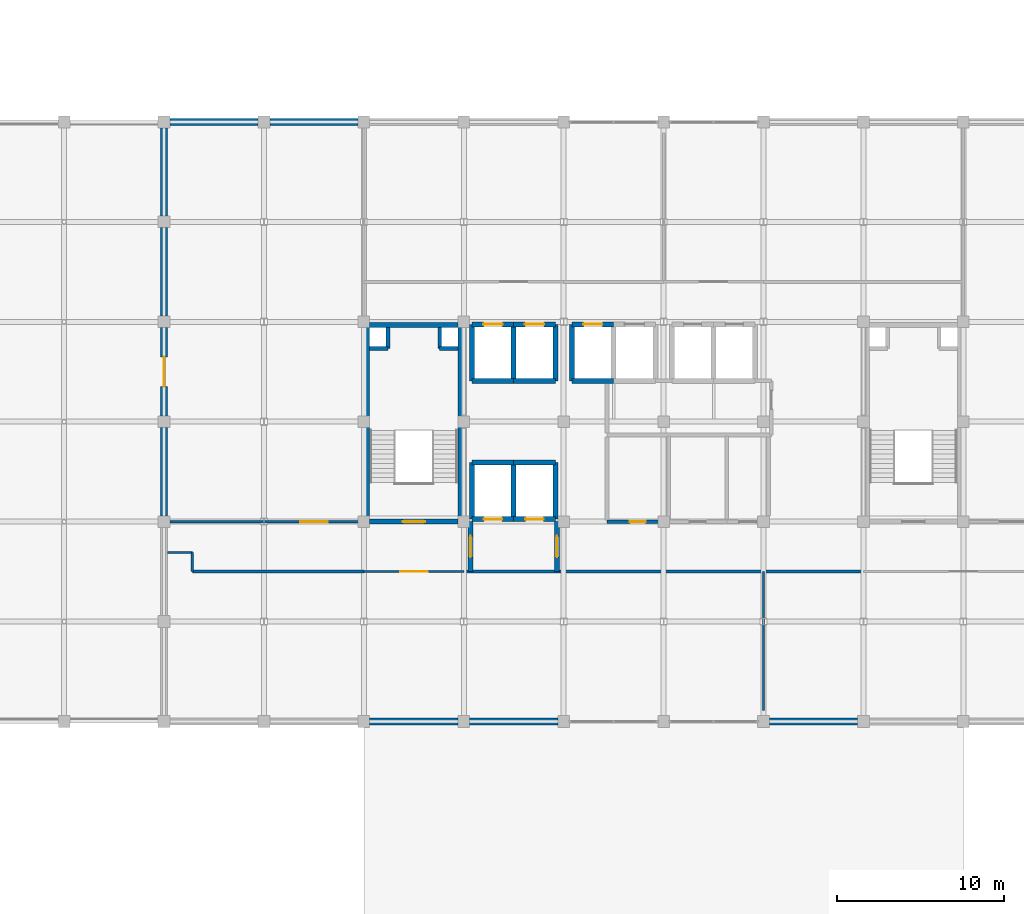
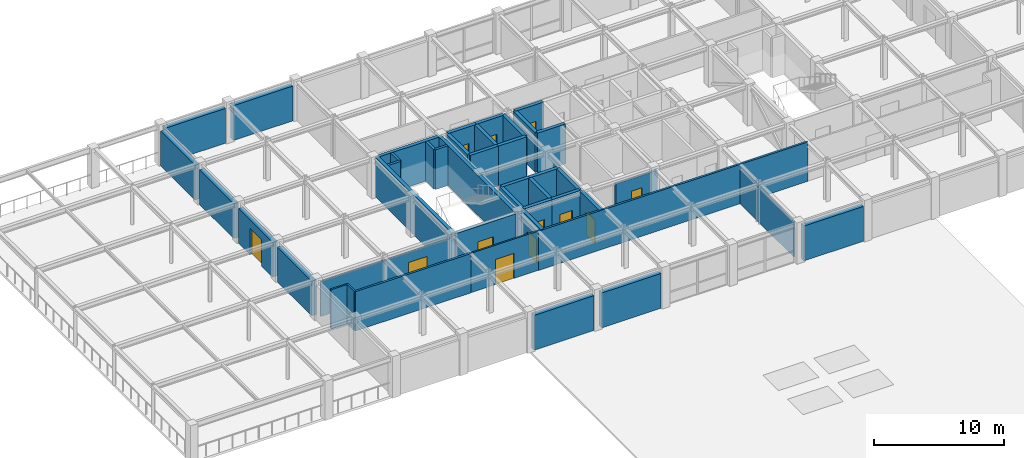
# One storey, part 20 of 25: 45 walls, 12 doors, 12 openings.
"""IFC4 building model written with IfcOpenShell, lengths in metres."""

from ifc_helpers import new_model, si_unit, direction, frame, frame_2d, origin, place, context, subcontext, project, spatial, rectangle, extrude, material, layer, layer_set, type_object, element, fill, save


model = new_model("IFC4")

# Units and contexts
model_context = context("Model", 3, precision=1e-05, world=origin(), true_north=direction((0.0, 1.0)))
body_context = subcontext(model_context, "Body", "Model", "MODEL_VIEW")
ifc_project = project(units=[si_unit("LENGTHUNIT", "METRE"), si_unit("AREAUNIT", "SQUARE_METRE"), si_unit("VOLUMEUNIT", "CUBIC_METRE"), si_unit("PLANEANGLEUNIT", "RADIAN"), si_unit("MASSUNIT", "GRAM", prefix="KILO")], contexts=[model_context])

# Site, building, storey
site_placement = place(None, origin())
site = spatial("IfcSite", under=ifc_project, at=site_placement, CompositionType="ELEMENT")
building_placement = place(site_placement, origin())
building = spatial("IfcBuilding", under=site, at=building_placement, Name="Zlatovratsky Civic Hall", CompositionType="ELEMENT")
storey_placement = place(building_placement, frame((0.0, 0.0, 21.0)))
storey = spatial("IfcBuildingStorey", under=building, at=storey_placement, Name="L05", CompositionType="ELEMENT", Elevation=21.0)

# Walls
ifc_material_1 = material(Name="Acoustic ceramic blockwork", Category="masonry")
ifc_layer_1 = layer(ifc_material_1, 0.179931640625)
ifc_layer_set_1 = layer_set([ifc_layer_1], Name="Acoustic ceramic blockwork")
wall_type_1 = type_object("IfcWallType", Name="Wall_AcousticChamberPartition_180", PredefinedType="PARTITIONING", material=ifc_layer_set_1)
wall_1_placement = place(storey_placement, frame((55.699951171875, 81.0, 0.0), z_axis=(0.0, 0.0, 1.0), x_axis=(1.0, 0.0, 0.0)))
element("IfcWall", 1, at=wall_1_placement, inside=storey, type_object=wall_type_1, Name="WL-6279", PredefinedType="PARTITIONING", context=body_context, shape_type="SweptSolid", body=[
    extrude(rectangle(XDim=10.300048828125, YDim=0.179931640625, at=frame_2d((5.14990234375, 0.0))), origin(), (0.0, 0.0, 1.0), 3.699951171875),
])
wall_2_placement = place(storey_placement, frame((72.0, 81.0, 0.0), z_axis=(0.0, 0.0, 1.0), x_axis=(1.0, 0.0, 0.0)))
element("IfcWall", 2, at=wall_2_placement, inside=storey, type_object=wall_type_1, Name="WL-6280", PredefinedType="PARTITIONING", context=body_context, shape_type="SweptSolid", body=[
    extrude(rectangle(XDim=24.0, YDim=0.179931640625, at=frame_2d((12.0, 0.0))), origin(), (0.0, 0.0, 1.0), 3.699951171875),
])

# Wall, opening, door
ifc_material_2 = material(Name="Fire-rated gypsum board framing", Category="gypsum")
ifc_layer_2 = layer(ifc_material_2, 0.139892578125)
ifc_layer_set_2 = layer_set([ifc_layer_2], Name="Fire-rated gypsum board framing")
wall_type_2 = type_object("IfcWallType", Name="Wall_OfficePartition_140", PredefinedType="PARTITIONING", material=ifc_layer_set_2)
wall_3_placement = place(storey_placement, frame((66.0, 81.0, 0.0), z_axis=(0.0, 0.0, 1.0), x_axis=(1.0, 0.0, 0.0)))
wall_3 = element("IfcWall", 3, at=wall_3_placement, inside=storey, type_object=wall_type_2, Name="WL-6266", PredefinedType="PARTITIONING", context=body_context, shape_type="SweptSolid", body=[
    extrude(rectangle(XDim=6.0, YDim=0.139892578125, at=frame_2d((3.0, 0.0))), origin(), (0.0, 0.0, 1.0), 3.699951171875),
])
opening_1_placement = place(wall_3_placement, frame((2.175048828125, 0.0, 0.0)))
opening_1 = element("IfcOpeningElement", 4, at=opening_1_placement, cuts=wall_3, Name="Opening D-25", PredefinedType="OPENING", context=body_context, shape_type="SweptSolid", body=[
    extrude(rectangle(XDim=1.64990234375, YDim=2.35009765625, at=frame_2d((0.824951171875, 1.175048828125))), frame((0.0, 0.0849609375, 0.0), z_axis=(0.0, -1.0, 0.0), x_axis=(1.0, 0.0, 0.0)), (0.0, 0.0, 1.0), 0.169677734375),
])
ifc_material_3 = material(Name="Solid oak joinery in steel frame", Category="steel")
door_type_1 = type_object("IfcDoorType", Name="Door_OpenStudioDouble_1650x2350", OperationType="DOUBLE_DOOR_SINGLE_SWING", PredefinedType="DOOR", material=ifc_material_3)
door_1_placement = place(opening_1_placement, origin())
door_1 = element("IfcDoor", 5, at=door_1_placement, inside=storey, type_object=door_type_1, Name="DR-5347", OperationType="DOUBLE_DOOR_SINGLE_SWING", OverallHeight=2.35009765625, OverallWidth=1.64990234375, PredefinedType="DOOR", context=body_context, shape_type="SweptSolid", body=[
    extrude(rectangle(XDim=1.64990234375, YDim=2.35009765625, at=frame_2d((0.824951171875, 1.175048828125))), frame((0.0, 0.02490234375, 0.0), z_axis=(0.0, -1.0, 0.0), x_axis=(1.0, 0.0, 0.0)), (0.0, 0.0, 1.0), 0.050048828125),
])
fill(opening_1, door_1)

wall_4_placement = place(storey_placement, frame((60.0, 84.0, 0.0), z_axis=(0.0, 0.0, 1.0), x_axis=(1.0, 0.0, 0.0)))
wall_4 = element("IfcWall", 6, at=wall_4_placement, inside=storey, type_object=wall_type_2, Name="WL-6268", PredefinedType="PARTITIONING", context=body_context, shape_type="SweptSolid", body=[
    extrude(rectangle(XDim=6.0, YDim=0.139892578125, at=frame_2d((3.0, 0.0))), origin(), (0.0, 0.0, 1.0), 3.31201171875),
])
opening_2_placement = place(wall_4_placement, frame((2.175048828125, 0.0, 0.0)))
opening_2 = element("IfcOpeningElement", 7, at=opening_2_placement, cuts=wall_4, Name="Opening D-25", PredefinedType="OPENING", context=body_context, shape_type="SweptSolid", body=[
    extrude(rectangle(XDim=1.64990234375, YDim=2.35009765625, at=frame_2d((0.824951171875, 1.175048828125))), frame((0.0, 0.0849609375, 0.0), z_axis=(0.0, -1.0, 0.0), x_axis=(1.0, 0.0, 0.0)), (0.0, 0.0, 1.0), 0.169677734375),
])
door_2_placement = place(opening_2_placement, origin())
door_2 = element("IfcDoor", 8, at=door_2_placement, inside=storey, type_object=door_type_1, Name="DR-5349", OperationType="DOUBLE_DOOR_SINGLE_SWING", OverallHeight=2.35009765625, OverallWidth=1.64990234375, PredefinedType="DOOR", context=body_context, shape_type="SweptSolid", body=[
    extrude(rectangle(XDim=1.64990234375, YDim=2.35009765625, at=frame_2d((0.824951171875, 1.175048828125))), frame((0.0, 0.02490234375, 0.0), z_axis=(0.0, -1.0, 0.0), x_axis=(1.0, 0.0, 0.0)), (0.0, 0.0, 1.0), 0.050048828125),
])
fill(opening_2, door_2)

# Walls
wall_5_placement = place(storey_placement, frame((90.0, 72.64990234375, 0.0), z_axis=(0.0, 0.0, 1.0), x_axis=(0.0, 1.0, 0.0)))
element("IfcWall", 9, at=wall_5_placement, inside=storey, type_object=wall_type_2, Name="WL-6272", PredefinedType="PARTITIONING", context=body_context, shape_type="SweptSolid", body=[
    extrude(rectangle(XDim=8.35009765625, YDim=0.139892578125, at=frame_2d((4.175048828125, 0.0))), origin(), (0.0, 0.0, 1.0), 3.31201171875),
])
wall_6_placement = place(storey_placement, frame((55.699951171875, 81.0, 0.0), z_axis=(0.0, 0.0, 1.0), x_axis=(0.0, 1.0, 0.0)))
element("IfcWall", 10, at=wall_6_placement, inside=storey, type_object=wall_type_2, Name="WL-6282", PredefinedType="PARTITIONING", context=body_context, shape_type="SweptSolid", body=[
    extrude(rectangle(XDim=1.14990234375, YDim=0.139892578125, at=frame_2d((0.574951171875, 0.0))), origin(), (0.0, 0.0, 1.0), 3.699951171875),
])
wall_7_placement = place(storey_placement, frame((55.699951171875, 82.14990234375, 0.0), z_axis=(0.0, 0.0, 1.0), x_axis=(-1.0, 0.0, 0.0)))
element("IfcWall", 11, at=wall_7_placement, inside=storey, type_object=wall_type_2, Name="WL-6283", PredefinedType="PARTITIONING", context=body_context, shape_type="SweptSolid", body=[
    extrude(rectangle(XDim=1.489990234375, YDim=0.139892578125, at=frame_2d((0.7451171875, 0.0))), origin(), (0.0, 0.0, 1.0), 3.699951171875),
])
wall_8_placement = place(storey_placement, frame((54.35009765625, 84.0, 0.0), z_axis=(0.0, 0.0, 1.0), x_axis=(1.0, 0.0, 0.0)))
element("IfcWall", 12, at=wall_8_placement, inside=storey, type_object=wall_type_2, Name="WL-6291", PredefinedType="PARTITIONING", context=body_context, shape_type="SweptSolid", body=[
    extrude(rectangle(XDim=5.64990234375, YDim=0.139892578125, at=frame_2d((2.824951171875, 0.0))), origin(), (0.0, 0.0, 1.0), 3.31201171875),
])
ifc_layer_3 = layer(ifc_material_1, 0.219970703125)
ifc_layer_set_3 = layer_set([ifc_layer_3], Name="Acoustic ceramic blockwork")
wall_type_3 = type_object("IfcWallType", Name="Wall_SanitaryWetCore_220", PredefinedType="PARTITIONING", material=ifc_layer_set_3)
wall_9_placement = place(storey_placement, frame((67.449951171875, 94.39990234375, 0.0), z_axis=(0.0, 0.0, 1.0), x_axis=(0.0, 1.0, 0.0)))
element("IfcWall", 13, at=wall_9_placement, inside=storey, type_object=wall_type_3, Name="WL-5045", PredefinedType="PARTITIONING", context=body_context, shape_type="SweptSolid", body=[
    extrude(rectangle(XDim=1.25, YDim=0.219970703125, at=frame_2d((0.625, 0.0))), origin(), (0.0, 0.0, 1.0), 3.739990234375),
])
wall_10_placement = place(storey_placement, frame((66.35009765625, 94.39990234375, 0.0), z_axis=(0.0, 0.0, 1.0), x_axis=(1.0, 0.0, 0.0)))
element("IfcWall", 14, at=wall_10_placement, inside=storey, type_object=wall_type_3, Name="WL-5046", PredefinedType="PARTITIONING", context=body_context, shape_type="SweptSolid", body=[
    extrude(rectangle(XDim=1.099853515625, YDim=0.219970703125, at=frame_2d((0.5498046875, 0.0))), origin(), (0.0, 0.0, 1.0), 3.739990234375),
])
wall_11_placement = place(storey_placement, frame((70.550048828125, 94.39990234375, 0.0), z_axis=(0.0, 0.0, 1.0), x_axis=(0.0, 1.0, 0.0)))
element("IfcWall", 15, at=wall_11_placement, inside=storey, type_object=wall_type_3, Name="WL-5047", PredefinedType="PARTITIONING", context=body_context, shape_type="SweptSolid", body=[
    extrude(rectangle(XDim=1.25, YDim=0.219970703125, at=frame_2d((0.625, 0.0))), origin(), (0.0, 0.0, 1.0), 3.739990234375),
])
wall_12_placement = place(storey_placement, frame((70.550048828125, 94.39990234375, 0.0), z_axis=(0.0, 0.0, 1.0), x_axis=(1.0, 0.0, 0.0)))
element("IfcWall", 16, at=wall_12_placement, inside=storey, type_object=wall_type_3, Name="WL-5048", PredefinedType="PARTITIONING", context=body_context, shape_type="SweptSolid", body=[
    extrude(rectangle(XDim=1.099853515625, YDim=0.219970703125, at=frame_2d((0.5498046875, 0.0))), origin(), (0.0, 0.0, 1.0), 3.739990234375),
])

# Wall, opening, door
wall_13_placement = place(storey_placement, frame((80.60009765625, 84.0, 0.0), z_axis=(0.0, 0.0, 1.0), x_axis=(1.0, 0.0, 0.0)))
wall_13 = element("IfcWall", 17, at=wall_13_placement, inside=storey, type_object=wall_type_3, Name="WL-6259", PredefinedType="PARTITIONING", context=body_context, shape_type="SweptSolid", body=[
    extrude(rectangle(XDim=3.699951171875, YDim=0.219970703125, at=frame_2d((1.85009765625, 0.0))), origin(), (0.0, 0.0, 1.0), 3.31201171875),
])
opening_3_placement = place(wall_13_placement, frame((1.375, 0.0, 0.0)))
opening_3 = element("IfcOpeningElement", 18, at=opening_3_placement, cuts=wall_13, Name="Opening D-21", PredefinedType="OPENING", context=body_context, shape_type="SweptSolid", body=[
    extrude(rectangle(XDim=0.949951171875, YDim=2.14990234375, at=frame_2d((0.47509765625, 1.074951171875))), frame((0.0, 0.125, 0.0), z_axis=(0.0, -1.0, 0.0), x_axis=(1.0, 0.0, 0.0)), (0.0, 0.0, 1.0), 0.249755859375),
])
door_type_2 = type_object("IfcDoorType", Name="Door_MensWC_950x2150", OperationType="NOTDEFINED", PredefinedType="DOOR", material=ifc_material_3)
door_3_placement = place(opening_3_placement, origin())
door_3 = element("IfcDoor", 19, at=door_3_placement, inside=storey, type_object=door_type_2, Name="DR-5343", OperationType="SINGLE_SWING_LEFT", OverallHeight=2.14990234375, OverallWidth=0.949951171875, PredefinedType="DOOR", context=body_context, shape_type="SweptSolid", body=[
    extrude(rectangle(XDim=0.949951171875, YDim=2.14990234375, at=frame_2d((0.47509765625, 1.074951171875))), frame((0.0, 0.02490234375, 0.0), z_axis=(0.0, -1.0, 0.0), x_axis=(1.0, 0.0, 0.0)), (0.0, 0.0, 1.0), 0.050048828125),
])
fill(opening_3, door_3)

ifc_material_4 = material(Name="Concrete C35/45 (B40)", Category="concrete")
ifc_layer_4 = layer(ifc_material_4, 0.300048828125)
ifc_layer_set_4 = layer_set([ifc_layer_4], Name="Concrete C35/45 (B40)")
wall_type_4 = type_object("IfcWallType", Name="Wall_StairAndLiftShaft_300", PredefinedType="SHEAR", material=ifc_layer_set_4)
wall_14_placement = place(storey_placement, frame((66.35009765625, 84.0, 0.0), z_axis=(0.0, 0.0, 1.0), x_axis=(1.0, 0.0, 0.0)))
wall_14 = element("IfcWall", 20, at=wall_14_placement, inside=storey, type_object=wall_type_4, Name="WL-5041", PredefinedType="SHEAR", context=body_context, shape_type="SweptSolid", body=[
    extrude(rectangle(XDim=5.2998046875, YDim=0.300048828125, at=frame_2d((2.64990234375, 0.0))), origin(), (0.0, 0.0, 1.0), 3.659912109375),
])
opening_4_placement = place(wall_14_placement, frame((1.97509765625, 0.0, 0.0)))
opening_4 = element("IfcOpeningElement", 21, at=opening_4_placement, cuts=wall_14, Name="Opening D-17", PredefinedType="OPENING", context=body_context, shape_type="SweptSolid", body=[
    extrude(rectangle(XDim=1.35009765625, YDim=2.199951171875, at=frame_2d((0.675048828125, 1.10009765625))), frame((0.0, 0.1650390625, 0.0), z_axis=(0.0, -1.0, 0.0), x_axis=(1.0, 0.0, 0.0)), (0.0, 0.0, 1.0), 0.329833984375),
])
ifc_material_5 = material(Name="Insulated painted fire-rated steel leaf", Category="steel")
door_type_3 = type_object("IfcDoorType", Name="Door_StairwellFireTower_1350x2200", OperationType="NOTDEFINED", PredefinedType="DOOR", material=ifc_material_5)
door_4_placement = place(opening_4_placement, origin())
door_4 = element("IfcDoor", 22, at=door_4_placement, inside=storey, type_object=door_type_3, Name="DR-5006", OperationType="SINGLE_SWING_LEFT", OverallHeight=2.199951171875, OverallWidth=1.35009765625, PredefinedType="DOOR", context=body_context, shape_type="SweptSolid", body=[
    extrude(rectangle(XDim=1.35009765625, YDim=2.199951171875, at=frame_2d((0.675048828125, 1.10009765625))), frame((0.0, 0.02490234375, 0.0), z_axis=(0.0, -1.0, 0.0), x_axis=(1.0, 0.0, 0.0)), (0.0, 0.0, 1.0), 0.050048828125),
])
fill(opening_4, door_4)

# Walls
wall_15_placement = place(storey_placement, frame((66.35009765625, 95.800048828125, 0.0), z_axis=(0.0, 0.0, 1.0), x_axis=(1.0, 0.0, 0.0)))
element("IfcWall", 23, at=wall_15_placement, inside=storey, type_object=wall_type_4, Name="WL-5042", PredefinedType="SHEAR", context=body_context, shape_type="SweptSolid", body=[
    extrude(rectangle(XDim=5.2998046875, YDim=0.300048828125, at=frame_2d((2.64990234375, 0.0))), origin(), (0.0, 0.0, 1.0), 3.739990234375),
])
for number, where, z_axis, x_axis, name in (
    (24, (66.199951171875, 84.0, 0.0), (0.0, 0.0, 1.0), (0.0, 1.0, 0.0), "WL-5043"),
    (25, (71.800048828125, 84.0, 0.0), (0.0, 0.0, 1.0), (0.0, 1.0, 0.0), "WL-5044"),
):
    element("IfcWall", number, at=place(storey_placement, frame(where, z_axis=z_axis, x_axis=x_axis)), inside=storey, type_object=wall_type_4, Name=name, PredefinedType="SHEAR", context=body_context, shape_type="SweptSolid", body=[
        extrude(rectangle(XDim=11.800048828125, YDim=0.300048828125, at=frame_2d((5.89990234375, 0.0))), origin(), (0.0, 0.0, 1.0), 3.739990234375),
    ])

# Wall, opening, door
wall_16_placement = place(storey_placement, frame((72.5, 84.14990234375, 0.0), z_axis=(0.0, 0.0, 1.0), x_axis=(1.0, 0.0, 0.0)))
wall_16 = element("IfcWall", 26, at=wall_16_placement, inside=storey, type_object=wall_type_4, Name="WL-5508", PredefinedType="SHEAR", context=body_context, shape_type="SweptSolid", body=[
    extrude(rectangle(XDim=2.5, YDim=0.300048828125, at=frame_2d((1.25, 0.0))), origin(), (0.0, 0.0, 1.0), 3.739990234375),
])
opening_5_placement = place(wall_16_placement, frame((0.699951171875, 0.0, 0.0)))
opening_5 = element("IfcOpeningElement", 27, at=opening_5_placement, cuts=wall_16, Name="Opening LD-01", PredefinedType="OPENING", context=body_context, shape_type="SweptSolid", body=[
    extrude(rectangle(XDim=1.10009765625, YDim=2.10009765625, at=frame_2d((0.550048828125, 1.050048828125))), frame((0.0, 0.1650390625, 0.0), z_axis=(0.0, -1.0, 0.0), x_axis=(1.0, 0.0, 0.0)), (0.0, 0.0, 1.0), 0.329833984375),
])
ifc_material_6 = material(Name="Brushed stainless steel AISI 304", Category="steel")
door_type_4 = type_object("IfcDoorType", Name="Door_LiftLandingFire_1100x2100", OperationType="DOUBLE_DOOR_SLIDING", PredefinedType="DOOR", material=ifc_material_6)
door_5_placement = place(opening_5_placement, origin())
door_5 = element("IfcDoor", 28, at=door_5_placement, inside=storey, type_object=door_type_4, Name="Lift landing door LD-5064", OperationType="DOUBLE_DOOR_SLIDING", OverallHeight=2.10009765625, OverallWidth=1.10009765625, PredefinedType="DOOR", context=body_context, shape_type="SweptSolid", body=[
    extrude(rectangle(XDim=1.10009765625, YDim=2.10009765625, at=frame_2d((0.550048828125, 1.050048828125))), frame((0.0, 0.02490234375, 0.0), z_axis=(0.0, -1.0, 0.0), x_axis=(1.0, 0.0, 0.0)), (0.0, 0.0, 1.0), 0.050048828125),
])
fill(opening_5, door_5)

# Walls
wall_17_placement = place(storey_placement, frame((72.5, 87.550048828125, 0.0), z_axis=(0.0, 0.0, 1.0), x_axis=(1.0, 0.0, 0.0)))
element("IfcWall", 29, at=wall_17_placement, inside=storey, type_object=wall_type_4, Name="WL-5509", PredefinedType="SHEAR", context=body_context, shape_type="SweptSolid", body=[
    extrude(rectangle(XDim=2.5, YDim=0.300048828125, at=frame_2d((1.25, 0.0))), origin(), (0.0, 0.0, 1.0), 3.739990234375),
])
wall_18_placement = place(storey_placement, frame((72.5, 84.14990234375, 0.0), z_axis=(0.0, 0.0, 1.0), x_axis=(0.0, 1.0, 0.0)))
element("IfcWall", 30, at=wall_18_placement, inside=storey, type_object=wall_type_4, Name="WL-5510", PredefinedType="SHEAR", context=body_context, shape_type="SweptSolid", body=[
    extrude(rectangle(XDim=3.400146484375, YDim=0.300048828125, at=frame_2d((1.7001953125, 0.0))), origin(), (0.0, 0.0, 1.0), 3.739990234375),
])

# Wall, opening, door
wall_19_placement = place(storey_placement, frame((75.0, 84.14990234375, 0.0), z_axis=(0.0, 0.0, 1.0), x_axis=(1.0, 0.0, 0.0)))
wall_19 = element("IfcWall", 31, at=wall_19_placement, inside=storey, type_object=wall_type_4, Name="WL-5570", PredefinedType="SHEAR", context=body_context, shape_type="SweptSolid", body=[
    extrude(rectangle(XDim=2.5, YDim=0.300048828125, at=frame_2d((1.25, 0.0))), origin(), (0.0, 0.0, 1.0), 3.739990234375),
])
opening_6_placement = place(wall_19_placement, frame((0.699951171875, 0.0, 0.0)))
opening_6 = element("IfcOpeningElement", 32, at=opening_6_placement, cuts=wall_19, Name="Opening LD-01", PredefinedType="OPENING", context=body_context, shape_type="SweptSolid", body=[
    extrude(rectangle(XDim=1.10009765625, YDim=2.10009765625, at=frame_2d((0.550048828125, 1.050048828125))), frame((0.0, 0.1650390625, 0.0), z_axis=(0.0, -1.0, 0.0), x_axis=(1.0, 0.0, 0.0)), (0.0, 0.0, 1.0), 0.329833984375),
])
door_6_placement = place(opening_6_placement, origin())
door_6 = element("IfcDoor", 33, at=door_6_placement, inside=storey, type_object=door_type_4, Name="Lift landing door LD-5083", OperationType="DOUBLE_DOOR_SLIDING", OverallHeight=2.10009765625, OverallWidth=1.10009765625, PredefinedType="DOOR", context=body_context, shape_type="SweptSolid", body=[
    extrude(rectangle(XDim=1.10009765625, YDim=2.10009765625, at=frame_2d((0.550048828125, 1.050048828125))), frame((0.0, 0.02490234375, 0.0), z_axis=(0.0, -1.0, 0.0), x_axis=(1.0, 0.0, 0.0)), (0.0, 0.0, 1.0), 0.050048828125),
])
fill(opening_6, door_6)

# Walls
wall_20_placement = place(storey_placement, frame((75.0, 87.550048828125, 0.0), z_axis=(0.0, 0.0, 1.0), x_axis=(1.0, 0.0, 0.0)))
element("IfcWall", 34, at=wall_20_placement, inside=storey, type_object=wall_type_4, Name="WL-5571", PredefinedType="SHEAR", context=body_context, shape_type="SweptSolid", body=[
    extrude(rectangle(XDim=2.5, YDim=0.300048828125, at=frame_2d((1.25, 0.0))), origin(), (0.0, 0.0, 1.0), 3.739990234375),
])
for number, where, z_axis, x_axis, name in (
    (35, (75.0, 84.14990234375, 0.0), (0.0, 0.0, 1.0), (0.0, 1.0, 0.0), "WL-5572"),
    (36, (77.5, 84.14990234375, 0.0), (0.0, 0.0, 1.0), (0.0, 1.0, 0.0), "WL-5573"),
):
    element("IfcWall", number, at=place(storey_placement, frame(where, z_axis=z_axis, x_axis=x_axis)), inside=storey, type_object=wall_type_4, Name=name, PredefinedType="SHEAR", context=body_context, shape_type="SweptSolid", body=[
        extrude(rectangle(XDim=3.400146484375, YDim=0.300048828125, at=frame_2d((1.7001953125, 0.0))), origin(), (0.0, 0.0, 1.0), 3.739990234375),
    ])

# Wall, opening, door
wall_21_placement = place(storey_placement, frame((72.5, 95.85009765625, 0.0), z_axis=(0.0, 0.0, 1.0), x_axis=(1.0, 0.0, 0.0)))
wall_21 = element("IfcWall", 37, at=wall_21_placement, inside=storey, type_object=wall_type_4, Name="WL-5641", PredefinedType="SHEAR", context=body_context, shape_type="SweptSolid", body=[
    extrude(rectangle(XDim=2.5, YDim=0.300048828125, at=frame_2d((1.25, 0.0))), origin(), (0.0, 0.0, 1.0), 3.739990234375),
])
opening_7_placement = place(wall_21_placement, frame((0.675048828125, 0.0, 0.0)))
opening_7 = element("IfcOpeningElement", 38, at=opening_7_placement, cuts=wall_21, Name="Opening LD-02", PredefinedType="OPENING", context=body_context, shape_type="SweptSolid", body=[
    extrude(rectangle(XDim=1.14990234375, YDim=2.14990234375, at=frame_2d((0.574951171875, 1.074951171875))), frame((0.0, 0.1650390625, 0.0), z_axis=(0.0, -1.0, 0.0), x_axis=(1.0, 0.0, 0.0)), (0.0, 0.0, 1.0), 0.329833984375),
])
door_type_5 = type_object("IfcDoorType", Name="Door_LiftLandingHighRise_1150x2150", OperationType="DOUBLE_DOOR_SLIDING", PredefinedType="DOOR", material=ifc_material_6)
door_7_placement = place(opening_7_placement, origin())
door_7 = element("IfcDoor", 39, at=door_7_placement, inside=storey, type_object=door_type_5, Name="Lift landing door LD-5102", OperationType="DOUBLE_DOOR_SLIDING", OverallHeight=2.14990234375, OverallWidth=1.14990234375, PredefinedType="DOOR", context=body_context, shape_type="SweptSolid", body=[
    extrude(rectangle(XDim=1.14990234375, YDim=2.14990234375, at=frame_2d((0.574951171875, 1.074951171875))), frame((0.0, 0.02490234375, 0.0), z_axis=(0.0, -1.0, 0.0), x_axis=(1.0, 0.0, 0.0)), (0.0, 0.0, 1.0), 0.050048828125),
])
fill(opening_7, door_7)

# Walls
wall_22_placement = place(storey_placement, frame((72.5, 92.449951171875, 0.0), z_axis=(0.0, 0.0, 1.0), x_axis=(1.0, 0.0, 0.0)))
element("IfcWall", 40, at=wall_22_placement, inside=storey, type_object=wall_type_4, Name="WL-5642", PredefinedType="SHEAR", context=body_context, shape_type="SweptSolid", body=[
    extrude(rectangle(XDim=2.5, YDim=0.300048828125, at=frame_2d((1.25, 0.0))), origin(), (0.0, 0.0, 1.0), 3.739990234375),
])
wall_23_placement = place(storey_placement, frame((72.5, 92.449951171875, 0.0), z_axis=(0.0, 0.0, 1.0), x_axis=(0.0, 1.0, 0.0)))
element("IfcWall", 41, at=wall_23_placement, inside=storey, type_object=wall_type_4, Name="WL-5643", PredefinedType="SHEAR", context=body_context, shape_type="SweptSolid", body=[
    extrude(rectangle(XDim=3.400146484375, YDim=0.300048828125, at=frame_2d((1.7001953125, 0.0))), origin(), (0.0, 0.0, 1.0), 3.739990234375),
])

# Wall, opening, door
wall_24_placement = place(storey_placement, frame((75.0, 95.85009765625, 0.0), z_axis=(0.0, 0.0, 1.0), x_axis=(1.0, 0.0, 0.0)))
wall_24 = element("IfcWall", 42, at=wall_24_placement, inside=storey, type_object=wall_type_4, Name="WL-5703", PredefinedType="SHEAR", context=body_context, shape_type="SweptSolid", body=[
    extrude(rectangle(XDim=2.5, YDim=0.300048828125, at=frame_2d((1.25, 0.0))), origin(), (0.0, 0.0, 1.0), 3.739990234375),
])
opening_8_placement = place(wall_24_placement, frame((0.675048828125, 0.0, 0.0)))
opening_8 = element("IfcOpeningElement", 43, at=opening_8_placement, cuts=wall_24, Name="Opening LD-02", PredefinedType="OPENING", context=body_context, shape_type="SweptSolid", body=[
    extrude(rectangle(XDim=1.14990234375, YDim=2.14990234375, at=frame_2d((0.574951171875, 1.074951171875))), frame((0.0, 0.1650390625, 0.0), z_axis=(0.0, -1.0, 0.0), x_axis=(1.0, 0.0, 0.0)), (0.0, 0.0, 1.0), 0.329833984375),
])
door_8_placement = place(opening_8_placement, origin())
door_8 = element("IfcDoor", 44, at=door_8_placement, inside=storey, type_object=door_type_5, Name="Lift landing door LD-5121", OperationType="DOUBLE_DOOR_SLIDING", OverallHeight=2.14990234375, OverallWidth=1.14990234375, PredefinedType="DOOR", context=body_context, shape_type="SweptSolid", body=[
    extrude(rectangle(XDim=1.14990234375, YDim=2.14990234375, at=frame_2d((0.574951171875, 1.074951171875))), frame((0.0, 0.02490234375, 0.0), z_axis=(0.0, -1.0, 0.0), x_axis=(1.0, 0.0, 0.0)), (0.0, 0.0, 1.0), 0.050048828125),
])
fill(opening_8, door_8)

# Walls
wall_25_placement = place(storey_placement, frame((75.0, 92.449951171875, 0.0), z_axis=(0.0, 0.0, 1.0), x_axis=(1.0, 0.0, 0.0)))
element("IfcWall", 45, at=wall_25_placement, inside=storey, type_object=wall_type_4, Name="WL-5704", PredefinedType="SHEAR", context=body_context, shape_type="SweptSolid", body=[
    extrude(rectangle(XDim=2.5, YDim=0.300048828125, at=frame_2d((1.25, 0.0))), origin(), (0.0, 0.0, 1.0), 3.739990234375),
])
for number, where, z_axis, x_axis, name in (
    (46, (75.0, 92.449951171875, 0.0), (0.0, 0.0, 1.0), (0.0, 1.0, 0.0), "WL-5705"),
    (47, (77.5, 92.449951171875, 0.0), (0.0, 0.0, 1.0), (0.0, 1.0, 0.0), "WL-5706"),
):
    element("IfcWall", number, at=place(storey_placement, frame(where, z_axis=z_axis, x_axis=x_axis)), inside=storey, type_object=wall_type_4, Name=name, PredefinedType="SHEAR", context=body_context, shape_type="SweptSolid", body=[
        extrude(rectangle(XDim=3.400146484375, YDim=0.300048828125, at=frame_2d((1.7001953125, 0.0))), origin(), (0.0, 0.0, 1.0), 3.739990234375),
    ])

# Wall, opening, door
wall_26_placement = place(storey_placement, frame((78.5, 95.85009765625, 0.0), z_axis=(0.0, 0.0, 1.0), x_axis=(1.0, 0.0, 0.0)))
wall_26 = element("IfcWall", 48, at=wall_26_placement, inside=storey, type_object=wall_type_4, Name="WL-5774", PredefinedType="SHEAR", context=body_context, shape_type="SweptSolid", body=[
    extrude(rectangle(XDim=2.5, YDim=0.300048828125, at=frame_2d((1.25, 0.0))), origin(), (0.0, 0.0, 1.0), 3.739990234375),
])
opening_9_placement = place(wall_26_placement, frame((0.675048828125, 0.0, 0.0)))
opening_9 = element("IfcOpeningElement", 49, at=opening_9_placement, cuts=wall_26, Name="Opening LD-02", PredefinedType="OPENING", context=body_context, shape_type="SweptSolid", body=[
    extrude(rectangle(XDim=1.14990234375, YDim=2.14990234375, at=frame_2d((0.574951171875, 1.074951171875))), frame((0.0, 0.1650390625, 0.0), z_axis=(0.0, -1.0, 0.0), x_axis=(1.0, 0.0, 0.0)), (0.0, 0.0, 1.0), 0.329833984375),
])
door_9_placement = place(opening_9_placement, origin())
door_9 = element("IfcDoor", 50, at=door_9_placement, inside=storey, type_object=door_type_5, Name="Lift landing door LD-5140", OperationType="DOUBLE_DOOR_SLIDING", OverallHeight=2.14990234375, OverallWidth=1.14990234375, PredefinedType="DOOR", context=body_context, shape_type="SweptSolid", body=[
    extrude(rectangle(XDim=1.14990234375, YDim=2.14990234375, at=frame_2d((0.574951171875, 1.074951171875))), frame((0.0, 0.02490234375, 0.0), z_axis=(0.0, -1.0, 0.0), x_axis=(1.0, 0.0, 0.0)), (0.0, 0.0, 1.0), 0.050048828125),
])
fill(opening_9, door_9)

# Walls
wall_27_placement = place(storey_placement, frame((78.5, 92.449951171875, 0.0), z_axis=(0.0, 0.0, 1.0), x_axis=(1.0, 0.0, 0.0)))
element("IfcWall", 51, at=wall_27_placement, inside=storey, type_object=wall_type_4, Name="WL-5775", PredefinedType="SHEAR", context=body_context, shape_type="SweptSolid", body=[
    extrude(rectangle(XDim=2.5, YDim=0.300048828125, at=frame_2d((1.25, 0.0))), origin(), (0.0, 0.0, 1.0), 3.739990234375),
])
wall_28_placement = place(storey_placement, frame((78.5, 92.449951171875, 0.0), z_axis=(0.0, 0.0, 1.0), x_axis=(0.0, 1.0, 0.0)))
element("IfcWall", 52, at=wall_28_placement, inside=storey, type_object=wall_type_4, Name="WL-5776", PredefinedType="SHEAR", context=body_context, shape_type="SweptSolid", body=[
    extrude(rectangle(XDim=3.400146484375, YDim=0.300048828125, at=frame_2d((1.7001953125, 0.0))), origin(), (0.0, 0.0, 1.0), 3.739990234375),
])

# Wall, opening, door
wall_29_placement = place(storey_placement, frame((72.39990234375, 81.0, 0.0), z_axis=(0.0, 0.0, 1.0), x_axis=(0.0, 1.0, 0.0)))
wall_29 = element("IfcWall", 53, at=wall_29_placement, inside=storey, type_object=wall_type_4, Name="WL-6257", PredefinedType="SHEAR", context=body_context, shape_type="SweptSolid", body=[
    extrude(rectangle(XDim=3.0, YDim=0.300048828125, at=frame_2d((1.5, 0.0))), origin(), (0.0, 0.0, 1.0), 3.699951171875),
])
opening_10_placement = place(wall_29_placement, frame((0.85009765625, 0.0, 0.0)))
opening_10 = element("IfcOpeningElement", 54, at=opening_10_placement, cuts=wall_29, Name="Opening D-18", PredefinedType="OPENING", context=body_context, shape_type="SweptSolid", body=[
    extrude(rectangle(XDim=1.300048828125, YDim=2.199951171875, at=frame_2d((0.64990234375, 1.10009765625))), frame((0.0, 0.1650390625, 0.0), z_axis=(0.0, -1.0, 0.0), x_axis=(1.0, 0.0, 0.0)), (0.0, 0.0, 1.0), 0.329833984375),
])
door_type_6 = type_object("IfcDoorType", Name="Door_FireLobbyAirlock_1300x2200", OperationType="NOTDEFINED", PredefinedType="DOOR", material=ifc_material_5)
door_10_placement = place(opening_10_placement, origin())
door_10 = element("IfcDoor", 55, at=door_10_placement, inside=storey, type_object=door_type_6, Name="DR-5341", OperationType="SINGLE_SWING_RIGHT", OverallHeight=2.199951171875, OverallWidth=1.300048828125, PredefinedType="DOOR", context=body_context, shape_type="SweptSolid", body=[
    extrude(rectangle(XDim=1.300048828125, YDim=2.199951171875, at=frame_2d((0.64990234375, 1.10009765625))), frame((0.0, 0.02490234375, 0.0), z_axis=(0.0, -1.0, 0.0), x_axis=(1.0, 0.0, 0.0)), (0.0, 0.0, 1.0), 0.050048828125),
])
fill(opening_10, door_10)

wall_30_placement = place(storey_placement, frame((77.60009765625, 81.0, 0.0), z_axis=(0.0, 0.0, 1.0), x_axis=(0.0, 1.0, 0.0)))
wall_30 = element("IfcWall", 56, at=wall_30_placement, inside=storey, type_object=wall_type_4, Name="WL-6258", PredefinedType="SHEAR", context=body_context, shape_type="SweptSolid", body=[
    extrude(rectangle(XDim=3.0, YDim=0.300048828125, at=frame_2d((1.5, 0.0))), origin(), (0.0, 0.0, 1.0), 3.699951171875),
])
opening_11_placement = place(wall_30_placement, frame((0.85009765625, 0.0, 0.0)))
opening_11 = element("IfcOpeningElement", 57, at=opening_11_placement, cuts=wall_30, Name="Opening D-18", PredefinedType="OPENING", context=body_context, shape_type="SweptSolid", body=[
    extrude(rectangle(XDim=1.300048828125, YDim=2.199951171875, at=frame_2d((0.64990234375, 1.10009765625))), frame((0.0, 0.1650390625, 0.0), z_axis=(0.0, -1.0, 0.0), x_axis=(1.0, 0.0, 0.0)), (0.0, 0.0, 1.0), 0.329833984375),
])
door_11_placement = place(opening_11_placement, origin())
door_11 = element("IfcDoor", 58, at=door_11_placement, inside=storey, type_object=door_type_6, Name="DR-5342", OperationType="SINGLE_SWING_RIGHT", OverallHeight=2.199951171875, OverallWidth=1.300048828125, PredefinedType="DOOR", context=body_context, shape_type="SweptSolid", body=[
    extrude(rectangle(XDim=1.300048828125, YDim=2.199951171875, at=frame_2d((0.64990234375, 1.10009765625))), frame((0.0, 0.02490234375, 0.0), z_axis=(0.0, -1.0, 0.0), x_axis=(1.0, 0.0, 0.0)), (0.0, 0.0, 1.0), 0.050048828125),
])
fill(opening_11, door_11)

# Walls
ifc_layer_5 = layer(ifc_material_1, 0.280029296875, Name="Backing")
ifc_material_7 = material(Name="Podolsk limestone ashlar", Category="masonry")
ifc_layer_6 = layer(ifc_material_7, 0.139892578125, Name="Finish")
ifc_layer_set_5 = layer_set([ifc_layer_5, ifc_layer_6], Name="Acoustic ceramic blockwork")
wall_type_5 = type_object("IfcWallType", Name="Wall_TowerLimestoneAshlar_420", PredefinedType="SOLIDWALL", material=ifc_layer_set_5)
for number, where, z_axis, x_axis, name in (
    (59, (66.35009765625, 72.0, 0.0), (0.0, 0.0, 1.0), (1.0, 0.0, 0.0), "WL-0391"),
    (60, (72.35009765625, 72.0, 0.0), (0.0, 0.0, 1.0), (1.0, 0.0, 0.0), "WL-0392"),
    (61, (90.35009765625, 72.0, 0.0), (0.0, 0.0, 1.0), (1.0, 0.0, 0.0), "WL-0393"),
    (62, (54.35009765625, 108.0, 0.0), (0.0, 0.0, 1.0), (1.0, 0.0, 0.0), "WL-0397"),
    (63, (60.35009765625, 108.0, 0.0), (0.0, 0.0, 1.0), (1.0, 0.0, 0.0), "WL-0398"),
    (64, (54.0, 84.35009765625, 0.0), (0.0, 0.0, 1.0), (0.0, 1.0, 0.0), "WL-0407"),
):
    element("IfcWall", number, at=place(storey_placement, frame(where, z_axis=z_axis, x_axis=x_axis)), inside=storey, type_object=wall_type_5, Name=name, PredefinedType="SOLIDWALL", context=body_context, shape_type="SweptSolid", body=[
        extrude(rectangle(XDim=5.2998046875, YDim=0.419921875, at=frame_2d((2.64990234375, 0.0))), origin(), (0.0, 0.0, 1.0), 3.280029296875),
    ])

# Wall, opening, door
wall_31_placement = place(storey_placement, frame((54.0, 90.35009765625, 0.0), z_axis=(0.0, 0.0, 1.0), x_axis=(0.0, 1.0, 0.0)))
wall_31 = element("IfcWall", 65, at=wall_31_placement, inside=storey, type_object=wall_type_5, Name="WL-0408", PredefinedType="SOLIDWALL", context=body_context, shape_type="SweptSolid", body=[
    extrude(rectangle(XDim=5.2998046875, YDim=0.419921875, at=frame_2d((2.64990234375, 0.0))), origin(), (0.0, 0.0, 1.0), 3.280029296875),
])
opening_12_placement = place(wall_31_placement, frame((1.75, 0.0, 0.0)))
opening_12 = element("IfcOpeningElement", 66, at=opening_12_placement, cuts=wall_31, Name="Opening D-07", PredefinedType="OPENING", context=body_context, shape_type="SweptSolid", body=[
    extrude(rectangle(XDim=1.800048828125, YDim=2.5, at=frame_2d((0.89990234375, 1.25))), frame((0.0, 0.224853515625, 0.0), z_axis=(0.0, -1.0, 0.0), x_axis=(1.0, 0.0, 0.0)), (0.0, 0.0, 1.0), 0.44970703125),
])
ifc_material_8 = material(Name="Monumental cast bronze glazed portal", Category="aluminium")
door_type_7 = type_object("IfcDoorType", Name="Door_TerraceLoggiaDouble_1800x2500", OperationType="DOUBLE_DOOR_SINGLE_SWING", PredefinedType="DOOR", material=ifc_material_8)
door_12_placement = place(opening_12_placement, origin())
door_12 = element("IfcDoor", 67, at=door_12_placement, inside=storey, type_object=door_type_7, Name="DR-0022", OperationType="DOUBLE_DOOR_SINGLE_SWING", OverallHeight=2.5, OverallWidth=1.800048828125, PredefinedType="DOOR", context=body_context, shape_type="SweptSolid", body=[
    extrude(rectangle(XDim=1.800048828125, YDim=2.5, at=frame_2d((0.89990234375, 1.25))), frame((0.0, 0.02490234375, 0.0), z_axis=(0.0, -1.0, 0.0), x_axis=(1.0, 0.0, 0.0)), (0.0, 0.0, 1.0), 0.050048828125),
])
fill(opening_12, door_12)

# Walls
for number, where, z_axis, x_axis, name in (
    (68, (54.0, 96.35009765625, 0.0), (0.0, 0.0, 1.0), (0.0, 1.0, 0.0), "WL-0409"),
    (69, (54.0, 102.35009765625, 0.0), (0.0, 0.0, 1.0), (0.0, 1.0, 0.0), "WL-0410"),
):
    element("IfcWall", number, at=place(storey_placement, frame(where, z_axis=z_axis, x_axis=x_axis)), inside=storey, type_object=wall_type_5, Name=name, PredefinedType="SOLIDWALL", context=body_context, shape_type="SweptSolid", body=[
        extrude(rectangle(XDim=5.2998046875, YDim=0.419921875, at=frame_2d((2.64990234375, 0.0))), origin(), (0.0, 0.0, 1.0), 3.280029296875),
    ])

save(model, "model.ifc")
